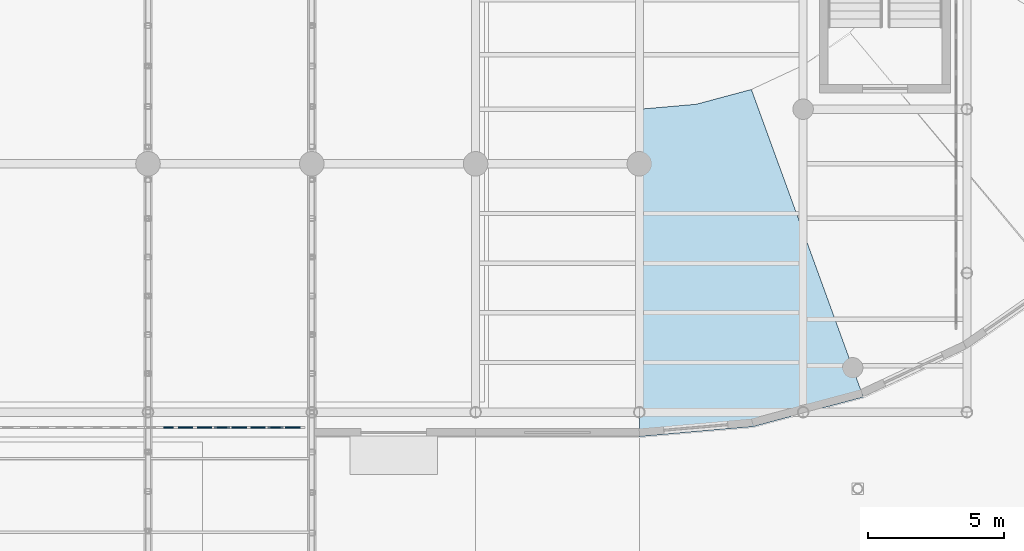
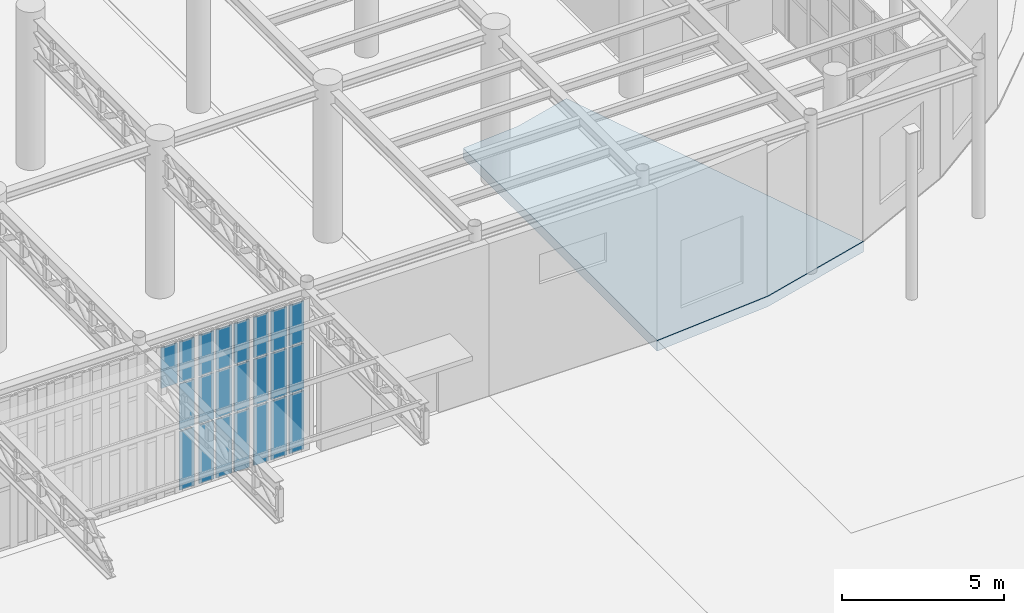
# One storey, part 73 of 118: 22 plates, 1 slab, 3 elements without a shape of their own.
"""IFC4 building model written with IfcOpenShell, lengths in metres."""

from ifc_helpers import new_model, si_unit, direction, frame, origin, origin_2d, place, context, subcontext, project, spatial, polyline, rectangle, outline, extrude, material, layer, layer_set, type_object, element, aggregate, save


model = new_model("IFC4")

# Units and contexts
model_context = context("Model", 3, precision=1e-05, world=origin(), true_north=direction((0.0, 1.0)))
body_context = subcontext(model_context, "Body", "Model", "MODEL_VIEW")
ifc_project = project(units=[si_unit("LENGTHUNIT", "METRE"), si_unit("AREAUNIT", "SQUARE_METRE"), si_unit("VOLUMEUNIT", "CUBIC_METRE"), si_unit("PLANEANGLEUNIT", "RADIAN"), si_unit("MASSUNIT", "GRAM", prefix="KILO")], contexts=[model_context])

# Site, building, storey
site_placement = place(None, origin())
site = spatial("IfcSite", under=ifc_project, at=site_placement, CompositionType="ELEMENT")
building_placement = place(site_placement, origin())
building = spatial("IfcBuilding", under=site, at=building_placement, Name="Kolvaren Corner Interchange", CompositionType="ELEMENT")
storey_placement = place(building_placement, origin())
storey = spatial("IfcBuildingStorey", under=building, at=storey_placement, Name="L01", CompositionType="ELEMENT", Elevation=0.0)

# Curtain wall, plates
ifc_material_1 = material(Name="Unitised Aluminium and Solar-Control Glass Curtain Wall", Category="aluminium")
curtain_wall_type = type_object("IfcCurtainWallType", Name="CW-V1-PORTAL", PredefinedType="NOTDEFINED", material=ifc_material_1)
curtain_wall_1_placement = place(storey_placement, origin())
curtain_wall_1 = element("IfcCurtainWall", 1, at=curtain_wall_1_placement, inside=storey, type_object=curtain_wall_type, Name="South Portal Ground Curtain Wall Bay 16", PredefinedType="NOTDEFINED")
ifc_material_2 = material(Name="Acoustic Triple-Glazed Solar Glass", Category="glass")
ifc_layer_1 = layer(ifc_material_2, 0.0419921875)
ifc_layer_set_1 = layer_set([ifc_layer_1], Name="Acoustic Triple-Glazed Solar Glass")
plate_type = type_object("IfcPlateType", Name="PLT-CW-GL38", PredefinedType="CURTAIN_PANEL", material=ifc_layer_set_1)
plate_1_placement = place(storey_placement, frame((102.747314453125, 24.340087890625, 4.1298828125), z_axis=(0.0, 0.0, 1.0), x_axis=(1.0, 0.0, 0.0)))
plate_1 = element("IfcPlate", 2, at=plate_1_placement, type_object=plate_type, Name="CW-016 panel 2.3", PredefinedType="CURTAIN_PANEL", context=body_context, shape_type="SweptSolid", body=[
    extrude(rectangle(XDim=0.57373046875, YDim=0.0419921875, at=origin_2d()), origin(), (0.0, 0.0, 1.0), 1.530029296875),
])
plate_2_placement = place(storey_placement, frame((103.380859375, 24.340087890625, 0.06005859375), z_axis=(0.0, 0.0, 1.0), x_axis=(1.0, 0.0, 0.0)))
plate_2 = element("IfcPlate", 3, at=plate_2_placement, type_object=plate_type, Name="CW-016 panel 3.1", PredefinedType="CURTAIN_PANEL", context=body_context, shape_type="SweptSolid", body=[
    extrude(rectangle(XDim=0.53369140625, YDim=0.0419921875, at=origin_2d()), origin(), (0.0, 0.0, 1.0), 2.2099609375),
])
plate_3_placement = place(storey_placement, frame((103.380859375, 24.340087890625, 2.330078125), z_axis=(0.0, 0.0, 1.0), x_axis=(1.0, 0.0, 0.0)))
plate_3 = element("IfcPlate", 4, at=plate_3_placement, type_object=plate_type, Name="CW-016 panel 3.2", PredefinedType="CURTAIN_PANEL", context=body_context, shape_type="SweptSolid", body=[
    extrude(rectangle(XDim=0.53369140625, YDim=0.0419921875, at=origin_2d()), origin(), (0.0, 0.0, 1.0), 1.739990234375),
])
plate_4_placement = place(storey_placement, frame((103.380859375, 24.340087890625, 4.1298828125), z_axis=(0.0, 0.0, 1.0), x_axis=(1.0, 0.0, 0.0)))
plate_4 = element("IfcPlate", 5, at=plate_4_placement, type_object=plate_type, Name="CW-016 panel 3.3", PredefinedType="CURTAIN_PANEL", context=body_context, shape_type="SweptSolid", body=[
    extrude(rectangle(XDim=0.53369140625, YDim=0.0419921875, at=origin_2d()), origin(), (0.0, 0.0, 1.0), 1.530029296875),
])
aggregate(curtain_wall_1, [plate_1, plate_2, plate_3, plate_4])

curtain_wall_2_placement = place(storey_placement, origin())
curtain_wall_2 = element("IfcCurtainWall", 6, at=curtain_wall_2_placement, inside=storey, type_object=curtain_wall_type, Name="South Portal Ground Curtain Wall Bay 17", PredefinedType="NOTDEFINED")
plate_5_placement = place(storey_placement, frame((104.07470703125, 24.340087890625, 0.06005859375), z_axis=(0.0, 0.0, 1.0), x_axis=(1.0, 0.0, 0.0)))
plate_5 = element("IfcPlate", 7, at=plate_5_placement, type_object=plate_type, Name="CW-017 panel 1.1", PredefinedType="CURTAIN_PANEL", context=body_context, shape_type="SweptSolid", body=[
    extrude(rectangle(XDim=0.53369140625, YDim=0.0419921875, at=origin_2d()), origin(), (0.0, 0.0, 1.0), 2.2099609375),
])
plate_6_placement = place(storey_placement, frame((104.07470703125, 24.340087890625, 2.330078125), z_axis=(0.0, 0.0, 1.0), x_axis=(1.0, 0.0, 0.0)))
plate_6 = element("IfcPlate", 8, at=plate_6_placement, type_object=plate_type, Name="CW-017 panel 1.2", PredefinedType="CURTAIN_PANEL", context=body_context, shape_type="SweptSolid", body=[
    extrude(rectangle(XDim=0.53369140625, YDim=0.0419921875, at=origin_2d()), origin(), (0.0, 0.0, 1.0), 1.739990234375),
])
plate_7_placement = place(storey_placement, frame((104.07470703125, 24.340087890625, 4.1298828125), z_axis=(0.0, 0.0, 1.0), x_axis=(1.0, 0.0, 0.0)))
plate_7 = element("IfcPlate", 9, at=plate_7_placement, type_object=plate_type, Name="CW-017 panel 1.3", PredefinedType="CURTAIN_PANEL", context=body_context, shape_type="SweptSolid", body=[
    extrude(rectangle(XDim=0.53369140625, YDim=0.0419921875, at=origin_2d()), origin(), (0.0, 0.0, 1.0), 1.530029296875),
])
plate_8_placement = place(storey_placement, frame((104.708251953125, 24.340087890625, 0.06005859375), z_axis=(0.0, 0.0, 1.0), x_axis=(1.0, 0.0, 0.0)))
plate_8 = element("IfcPlate", 10, at=plate_8_placement, type_object=plate_type, Name="CW-017 panel 2.1", PredefinedType="CURTAIN_PANEL", context=body_context, shape_type="SweptSolid", body=[
    extrude(rectangle(XDim=0.57373046875, YDim=0.0419921875, at=origin_2d()), origin(), (0.0, 0.0, 1.0), 2.2099609375),
])
plate_9_placement = place(storey_placement, frame((104.708251953125, 24.340087890625, 2.330078125), z_axis=(0.0, 0.0, 1.0), x_axis=(1.0, 0.0, 0.0)))
plate_9 = element("IfcPlate", 11, at=plate_9_placement, type_object=plate_type, Name="CW-017 panel 2.2", PredefinedType="CURTAIN_PANEL", context=body_context, shape_type="SweptSolid", body=[
    extrude(rectangle(XDim=0.57373046875, YDim=0.0419921875, at=origin_2d()), origin(), (0.0, 0.0, 1.0), 1.739990234375),
])
plate_10_placement = place(storey_placement, frame((104.708251953125, 24.340087890625, 4.1298828125), z_axis=(0.0, 0.0, 1.0), x_axis=(1.0, 0.0, 0.0)))
plate_10 = element("IfcPlate", 12, at=plate_10_placement, type_object=plate_type, Name="CW-017 panel 2.3", PredefinedType="CURTAIN_PANEL", context=body_context, shape_type="SweptSolid", body=[
    extrude(rectangle(XDim=0.57373046875, YDim=0.0419921875, at=origin_2d()), origin(), (0.0, 0.0, 1.0), 1.530029296875),
])
plate_11_placement = place(storey_placement, frame((105.342041015625, 24.340087890625, 0.06005859375), z_axis=(0.0, 0.0, 1.0), x_axis=(1.0, 0.0, 0.0)))
plate_11 = element("IfcPlate", 13, at=plate_11_placement, type_object=plate_type, Name="CW-017 panel 3.1", PredefinedType="CURTAIN_PANEL", context=body_context, shape_type="SweptSolid", body=[
    extrude(rectangle(XDim=0.53369140625, YDim=0.0419921875, at=origin_2d()), origin(), (0.0, 0.0, 1.0), 2.2099609375),
])
plate_12_placement = place(storey_placement, frame((105.342041015625, 24.340087890625, 2.330078125), z_axis=(0.0, 0.0, 1.0), x_axis=(1.0, 0.0, 0.0)))
plate_12 = element("IfcPlate", 14, at=plate_12_placement, type_object=plate_type, Name="CW-017 panel 3.2", PredefinedType="CURTAIN_PANEL", context=body_context, shape_type="SweptSolid", body=[
    extrude(rectangle(XDim=0.53369140625, YDim=0.0419921875, at=origin_2d()), origin(), (0.0, 0.0, 1.0), 1.739990234375),
])
plate_13_placement = place(storey_placement, frame((105.342041015625, 24.340087890625, 4.1298828125), z_axis=(0.0, 0.0, 1.0), x_axis=(1.0, 0.0, 0.0)))
plate_13 = element("IfcPlate", 15, at=plate_13_placement, type_object=plate_type, Name="CW-017 panel 3.3", PredefinedType="CURTAIN_PANEL", context=body_context, shape_type="SweptSolid", body=[
    extrude(rectangle(XDim=0.53369140625, YDim=0.0419921875, at=origin_2d()), origin(), (0.0, 0.0, 1.0), 1.530029296875),
])
aggregate(curtain_wall_2, [plate_5, plate_6, plate_7, plate_8, plate_9, plate_10, plate_11, plate_12, plate_13])

curtain_wall_3_placement = place(storey_placement, origin())
curtain_wall_3 = element("IfcCurtainWall", 16, at=curtain_wall_3_placement, inside=storey, type_object=curtain_wall_type, Name="South Portal Ground Curtain Wall Bay 18", PredefinedType="NOTDEFINED")
plate_14_placement = place(storey_placement, frame((106.03564453125, 24.340087890625, 0.06005859375), z_axis=(0.0, 0.0, 1.0), x_axis=(1.0, 0.0, 0.0)))
plate_14 = element("IfcPlate", 17, at=plate_14_placement, type_object=plate_type, Name="CW-018 panel 1.1", PredefinedType="CURTAIN_PANEL", context=body_context, shape_type="SweptSolid", body=[
    extrude(rectangle(XDim=0.53369140625, YDim=0.0419921875, at=origin_2d()), origin(), (0.0, 0.0, 1.0), 2.2099609375),
])
plate_15_placement = place(storey_placement, frame((106.03564453125, 24.340087890625, 2.330078125), z_axis=(0.0, 0.0, 1.0), x_axis=(1.0, 0.0, 0.0)))
plate_15 = element("IfcPlate", 18, at=plate_15_placement, type_object=plate_type, Name="CW-018 panel 1.2", PredefinedType="CURTAIN_PANEL", context=body_context, shape_type="SweptSolid", body=[
    extrude(rectangle(XDim=0.53369140625, YDim=0.0419921875, at=origin_2d()), origin(), (0.0, 0.0, 1.0), 1.739990234375),
])
plate_16_placement = place(storey_placement, frame((106.03564453125, 24.340087890625, 4.1298828125), z_axis=(0.0, 0.0, 1.0), x_axis=(1.0, 0.0, 0.0)))
plate_16 = element("IfcPlate", 19, at=plate_16_placement, type_object=plate_type, Name="CW-018 panel 1.3", PredefinedType="CURTAIN_PANEL", context=body_context, shape_type="SweptSolid", body=[
    extrude(rectangle(XDim=0.53369140625, YDim=0.0419921875, at=origin_2d()), origin(), (0.0, 0.0, 1.0), 1.530029296875),
])
plate_17_placement = place(storey_placement, frame((106.66943359375, 24.340087890625, 0.06005859375), z_axis=(0.0, 0.0, 1.0), x_axis=(1.0, 0.0, 0.0)))
plate_17 = element("IfcPlate", 20, at=plate_17_placement, type_object=plate_type, Name="CW-018 panel 2.1", PredefinedType="CURTAIN_PANEL", context=body_context, shape_type="SweptSolid", body=[
    extrude(rectangle(XDim=0.57373046875, YDim=0.0419921875, at=origin_2d()), origin(), (0.0, 0.0, 1.0), 2.2099609375),
])
plate_18_placement = place(storey_placement, frame((106.66943359375, 24.340087890625, 2.330078125), z_axis=(0.0, 0.0, 1.0), x_axis=(1.0, 0.0, 0.0)))
plate_18 = element("IfcPlate", 21, at=plate_18_placement, type_object=plate_type, Name="CW-018 panel 2.2", PredefinedType="CURTAIN_PANEL", context=body_context, shape_type="SweptSolid", body=[
    extrude(rectangle(XDim=0.57373046875, YDim=0.0419921875, at=origin_2d()), origin(), (0.0, 0.0, 1.0), 1.739990234375),
])
plate_19_placement = place(storey_placement, frame((106.66943359375, 24.340087890625, 4.1298828125), z_axis=(0.0, 0.0, 1.0), x_axis=(1.0, 0.0, 0.0)))
plate_19 = element("IfcPlate", 22, at=plate_19_placement, type_object=plate_type, Name="CW-018 panel 2.3", PredefinedType="CURTAIN_PANEL", context=body_context, shape_type="SweptSolid", body=[
    extrude(rectangle(XDim=0.57373046875, YDim=0.0419921875, at=origin_2d()), origin(), (0.0, 0.0, 1.0), 1.530029296875),
])
plate_20_placement = place(storey_placement, frame((107.30322265625, 24.340087890625, 0.06005859375), z_axis=(0.0, 0.0, 1.0), x_axis=(1.0, 0.0, 0.0)))
plate_20 = element("IfcPlate", 23, at=plate_20_placement, type_object=plate_type, Name="CW-018 panel 3.1", PredefinedType="CURTAIN_PANEL", context=body_context, shape_type="SweptSolid", body=[
    extrude(rectangle(XDim=0.53369140625, YDim=0.0419921875, at=origin_2d()), origin(), (0.0, 0.0, 1.0), 2.2099609375),
])
plate_21_placement = place(storey_placement, frame((107.30322265625, 24.340087890625, 2.330078125), z_axis=(0.0, 0.0, 1.0), x_axis=(1.0, 0.0, 0.0)))
plate_21 = element("IfcPlate", 24, at=plate_21_placement, type_object=plate_type, Name="CW-018 panel 3.2", PredefinedType="CURTAIN_PANEL", context=body_context, shape_type="SweptSolid", body=[
    extrude(rectangle(XDim=0.53369140625, YDim=0.0419921875, at=origin_2d()), origin(), (0.0, 0.0, 1.0), 1.739990234375),
])
plate_22_placement = place(storey_placement, frame((107.30322265625, 24.340087890625, 4.1298828125), z_axis=(0.0, 0.0, 1.0), x_axis=(1.0, 0.0, 0.0)))
plate_22 = element("IfcPlate", 25, at=plate_22_placement, type_object=plate_type, Name="CW-018 panel 3.3", PredefinedType="CURTAIN_PANEL", context=body_context, shape_type="SweptSolid", body=[
    extrude(rectangle(XDim=0.53369140625, YDim=0.0419921875, at=origin_2d()), origin(), (0.0, 0.0, 1.0), 1.530029296875),
])
aggregate(curtain_wall_3, [plate_14, plate_15, plate_16, plate_17, plate_18, plate_19, plate_20, plate_21, plate_22])

# Slab
ifc_material_3 = material(Name="Concrete C40/50", Category="concrete")
ifc_layer_2 = layer(ifc_material_3, 0.39990234375)
ifc_layer_set_2 = layer_set([ifc_layer_2], Name="Concrete C40/50")
slab_type = type_object("IfcSlabType", Name="SL-TRANSFER-400", PredefinedType="FLOOR", material=ifc_layer_set_2)
slab_placement = place(storey_placement, frame((0.0, 0.0, -0.39990234375)))
element("IfcSlab", 26, at=slab_placement, inside=storey, type_object=slab_type, Name="Level 01 Racetrack East Radial Sector Slab 01", PredefinedType="FLOOR", context=body_context, shape_type="SweptSolid", body=[
    extrude(outline(polyline([(120.0, 24.0), (124.16748046875, 24.364501953125), (128.20849609375, 25.447509765625), (124.104248046875, 36.7236328125), (122.083740234375, 36.182373046875), (120.0, 36.0), (120.0, 24.0)])), origin(), (0.0, 0.0, 1.0), 0.39990234375),
])

save(model, "model.ifc")
